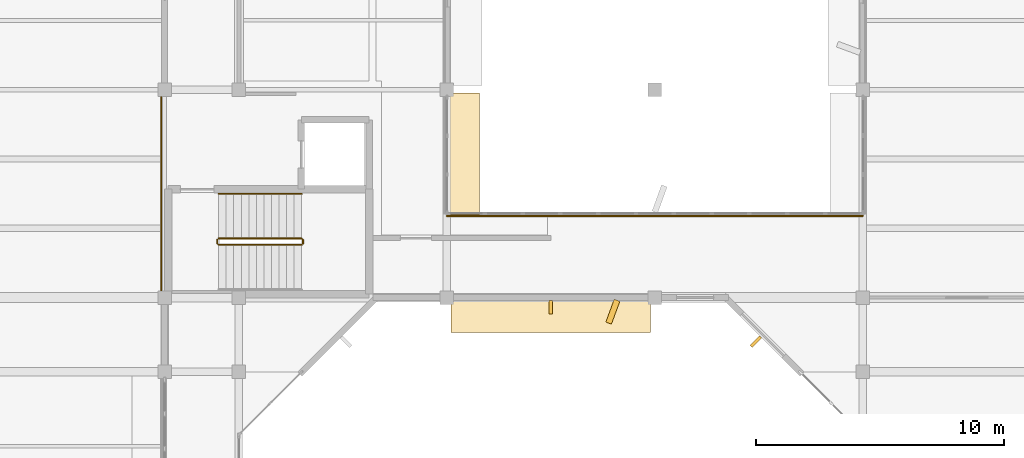
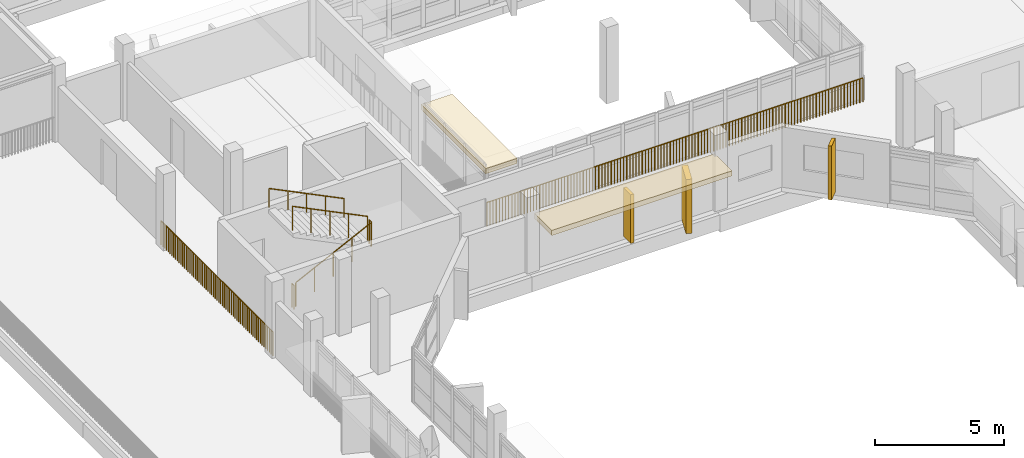
# One storey, part 82 of 92: 7 railings, 3 coverings, 2 shading devices.
"""IFC4 building model written with IfcOpenShell, lengths in metres."""

from ifc_helpers import new_model, si_unit, direction, frame, origin, origin_2d, place, context, subcontext, project, spatial, rectangle, circle, extrude, material, layer, layer_set, type_object, element, save


model = new_model("IFC4")

# Units and contexts
model_context = context("Model", 3, precision=1e-05, world=origin(), true_north=direction((0.0, 1.0)))
body_context = subcontext(model_context, "Body", "Model", "MODEL_VIEW")
ifc_project = project(units=[si_unit("LENGTHUNIT", "METRE"), si_unit("AREAUNIT", "SQUARE_METRE"), si_unit("VOLUMEUNIT", "CUBIC_METRE"), si_unit("PLANEANGLEUNIT", "RADIAN"), si_unit("MASSUNIT", "GRAM", prefix="KILO")], contexts=[model_context])

# Site, building, storey
site_placement = place(None, origin())
site = spatial("IfcSite", under=ifc_project, at=site_placement, CompositionType="ELEMENT")
building_placement = place(site_placement, origin())
building = spatial("IfcBuilding", under=site, at=building_placement, Name="Vanh Quang Courtyard School", CompositionType="ELEMENT")
storey_placement = place(building_placement, frame((0.0, 0.0, 7.800048828125)))
storey = spatial("IfcBuildingStorey", under=building, at=storey_placement, Name="L02", CompositionType="ELEMENT", Elevation=7.800048828125)

# Coverings
ifc_material_1 = material(Name="Board-marked precast concrete C40/50", Category="concrete")
ifc_layer = layer(ifc_material_1, 0.239990234375)
ifc_layer_set = layer_set([ifc_layer], Name="Board-marked precast concrete C40/50")
covering_type = type_object("IfcCoveringType", Name="COV-HOOD-CONC", PredefinedType="CLADDING", material=ifc_layer_set)
covering_1_placement = place(storey_placement, frame((53.39990234375, 70.659912109375, 2.35986328125), z_axis=(0.0, 0.0, 1.0), x_axis=(-1.0, 0.0, 0.0)))
element("IfcCovering", 1, at=covering_1_placement, inside=storey, type_object=covering_type, Name="Covering CH-01 (L02)", PredefinedType="CLADDING", context=body_context, shape_type="SweptSolid", body=[
    extrude(rectangle(XDim=8.053955078125, YDim=1.35009765625, at=origin_2d()), origin(), (0.0, 0.0, 1.0), 0.239990234375),
])
covering_2_placement = place(storey_placement, frame((55.900390625, 70.830078125, 0.0), z_axis=(0.0, 0.0, 1.0), x_axis=(-0.346608245445, -0.938009980858, 0.0)))
element("IfcCovering", 2, at=covering_2_placement, inside=storey, type_object=covering_type, Name="Covering CH-01 (L02)", PredefinedType="CLADDING", context=body_context, shape_type="SweptSolid", body=[
    extrude(rectangle(XDim=0.980712890625, YDim=0.239990234375, at=origin_2d()), origin(), (0.0, 0.0, 1.0), 2.56005859375),
])
covering_3_placement = place(storey_placement, frame((49.820068359375, 77.158447265625, 2.5400390625), z_axis=(0.0, 0.0, 1.0), x_axis=(0.0, -1.0, 0.0)))
element("IfcCovering", 3, at=covering_3_placement, inside=storey, type_object=covering_type, Name="Covering CH-01 (L02)", PredefinedType="CLADDING", context=body_context, shape_type="SweptSolid", body=[
    extrude(rectangle(XDim=5.01708984375, YDim=1.39990234375, at=origin_2d()), origin(), (0.0, 0.0, 1.0), 0.239990234375),
])

# Railings
ifc_material_2 = material(Name="Galvanised painted steel EN 10025-2 S355J2", Category="steel")
railing_type_1 = type_object("IfcRailingType", Name="RAIL-GUARD-1150", PredefinedType="BALUSTRADE", material=ifc_material_2)
railing_1_placement = place(storey_placement, frame((37.659912109375, 79.930419921875, 0.0)))
element("IfcRailing", 4, at=railing_1_placement, inside=storey, type_object=railing_type_1, Name="Railing GR-01 (L02)", PredefinedType="BALUSTRADE", context=body_context, shape_type="SweptSolid", body=[
    extrude(circle(Radius=0.02392578125, at=origin_2d()), frame((0.0, 0.0, 1.1259765625), z_axis=(0.0, -1.0, 0.0), x_axis=(1.0, 0.0, 0.0)), (0.0, 0.0, 1.0), 8.66064453125),
    extrude(circle(Radius=0.02099609375, at=origin_2d()), origin(), (0.0, 0.0, 1.0), 1.101806640625),
    extrude(circle(Radius=0.02099609375, at=origin_2d()), frame((0.0, -0.1396484375, 0.0)), (0.0, 0.0, 1.0), 1.101806640625),
    extrude(circle(Radius=0.02099609375, at=origin_2d()), frame((0.0, -0.279296875, 0.0)), (0.0, 0.0, 1.0), 1.101806640625),
    extrude(circle(Radius=0.02099609375, at=origin_2d()), frame((0.0, -0.4189453125, 0.0)), (0.0, 0.0, 1.0), 1.101806640625),
    extrude(circle(Radius=0.02099609375, at=origin_2d()), frame((0.0, -0.558837890625, 0.0)), (0.0, 0.0, 1.0), 1.101806640625),
    extrude(circle(Radius=0.02099609375, at=origin_2d()), frame((0.0, -0.698486328125, 0.0)), (0.0, 0.0, 1.0), 1.101806640625),
    extrude(circle(Radius=0.02099609375, at=origin_2d()), frame((0.0, -0.838134765625, 0.0)), (0.0, 0.0, 1.0), 1.101806640625),
    extrude(circle(Radius=0.02099609375, at=origin_2d()), frame((0.0, -0.977783203125, 0.0)), (0.0, 0.0, 1.0), 1.101806640625),
    extrude(circle(Radius=0.02099609375, at=origin_2d()), frame((0.0, -1.117431640625, 0.0)), (0.0, 0.0, 1.0), 1.101806640625),
    extrude(circle(Radius=0.02099609375, at=origin_2d()), frame((0.0, -1.257080078125, 0.0)), (0.0, 0.0, 1.0), 1.101806640625),
    extrude(circle(Radius=0.02099609375, at=origin_2d()), frame((0.0, -1.39697265625, 0.0)), (0.0, 0.0, 1.0), 1.101806640625),
    extrude(circle(Radius=0.02099609375, at=origin_2d()), frame((0.0, -1.53662109375, 0.0)), (0.0, 0.0, 1.0), 1.101806640625),
    extrude(circle(Radius=0.02099609375, at=origin_2d()), frame((0.0, -1.67626953125, 0.0)), (0.0, 0.0, 1.0), 1.101806640625),
    extrude(circle(Radius=0.02099609375, at=origin_2d()), frame((0.0, -1.81591796875, 0.0)), (0.0, 0.0, 1.0), 1.101806640625),
    extrude(circle(Radius=0.02099609375, at=origin_2d()), frame((0.0, -1.95556640625, 0.0)), (0.0, 0.0, 1.0), 1.101806640625),
    extrude(circle(Radius=0.02099609375, at=origin_2d()), frame((0.0, -2.09521484375, 0.0)), (0.0, 0.0, 1.0), 1.101806640625),
    extrude(circle(Radius=0.02099609375, at=origin_2d()), frame((0.0, -2.235107421875, 0.0)), (0.0, 0.0, 1.0), 1.101806640625),
    extrude(circle(Radius=0.02099609375, at=origin_2d()), frame((0.0, -2.374755859375, 0.0)), (0.0, 0.0, 1.0), 1.101806640625),
    extrude(circle(Radius=0.02099609375, at=origin_2d()), frame((0.0, -2.514404296875, 0.0)), (0.0, 0.0, 1.0), 1.101806640625),
    extrude(circle(Radius=0.02099609375, at=origin_2d()), frame((0.0, -2.654052734375, 0.0)), (0.0, 0.0, 1.0), 1.101806640625),
    extrude(circle(Radius=0.02099609375, at=origin_2d()), frame((0.0, -2.793701171875, 0.0)), (0.0, 0.0, 1.0), 1.101806640625),
    extrude(circle(Radius=0.02099609375, at=origin_2d()), frame((0.0, -2.933349609375, 0.0)), (0.0, 0.0, 1.0), 1.101806640625),
    extrude(circle(Radius=0.02099609375, at=origin_2d()), frame((0.0, -3.0732421875, 0.0)), (0.0, 0.0, 1.0), 1.101806640625),
    extrude(circle(Radius=0.02099609375, at=origin_2d()), frame((0.0, -3.212890625, 0.0)), (0.0, 0.0, 1.0), 1.101806640625),
    extrude(circle(Radius=0.02099609375, at=origin_2d()), frame((0.0, -3.3525390625, 0.0)), (0.0, 0.0, 1.0), 1.101806640625),
    extrude(circle(Radius=0.02099609375, at=origin_2d()), frame((0.0, -3.4921875, 0.0)), (0.0, 0.0, 1.0), 1.101806640625),
    extrude(circle(Radius=0.02099609375, at=origin_2d()), frame((0.0, -3.6318359375, 0.0)), (0.0, 0.0, 1.0), 1.101806640625),
    extrude(circle(Radius=0.02099609375, at=origin_2d()), frame((0.0, -3.771484375, 0.0)), (0.0, 0.0, 1.0), 1.101806640625),
    extrude(circle(Radius=0.02099609375, at=origin_2d()), frame((0.0, -3.911376953125, 0.0)), (0.0, 0.0, 1.0), 1.101806640625),
    extrude(circle(Radius=0.02099609375, at=origin_2d()), frame((0.0, -4.051025390625, 0.0)), (0.0, 0.0, 1.0), 1.101806640625),
    extrude(circle(Radius=0.02099609375, at=origin_2d()), frame((0.0, -4.190673828125, 0.0)), (0.0, 0.0, 1.0), 1.101806640625),
    extrude(circle(Radius=0.02099609375, at=origin_2d()), frame((0.0, -4.330322265625, 0.0)), (0.0, 0.0, 1.0), 1.101806640625),
    extrude(circle(Radius=0.02099609375, at=origin_2d()), frame((0.0, -4.469970703125, 0.0)), (0.0, 0.0, 1.0), 1.101806640625),
    extrude(circle(Radius=0.02099609375, at=origin_2d()), frame((0.0, -4.609619140625, 0.0)), (0.0, 0.0, 1.0), 1.101806640625),
    extrude(circle(Radius=0.02099609375, at=origin_2d()), frame((0.0, -4.749267578125, 0.0)), (0.0, 0.0, 1.0), 1.101806640625),
    extrude(circle(Radius=0.02099609375, at=origin_2d()), frame((0.0, -4.88916015625, 0.0)), (0.0, 0.0, 1.0), 1.101806640625),
    extrude(circle(Radius=0.02099609375, at=origin_2d()), frame((0.0, -5.02880859375, 0.0)), (0.0, 0.0, 1.0), 1.101806640625),
    extrude(circle(Radius=0.02099609375, at=origin_2d()), frame((0.0, -5.16845703125, 0.0)), (0.0, 0.0, 1.0), 1.101806640625),
    extrude(circle(Radius=0.02099609375, at=origin_2d()), frame((0.0, -5.30810546875, 0.0)), (0.0, 0.0, 1.0), 1.101806640625),
    extrude(circle(Radius=0.02099609375, at=origin_2d()), frame((0.0, -5.44775390625, 0.0)), (0.0, 0.0, 1.0), 1.101806640625),
    extrude(circle(Radius=0.02099609375, at=origin_2d()), frame((0.0, -5.58740234375, 0.0)), (0.0, 0.0, 1.0), 1.101806640625),
    extrude(circle(Radius=0.02099609375, at=origin_2d()), frame((0.0, -5.727294921875, 0.0)), (0.0, 0.0, 1.0), 1.101806640625),
    extrude(circle(Radius=0.02099609375, at=origin_2d()), frame((0.0, -5.866943359375, 0.0)), (0.0, 0.0, 1.0), 1.101806640625),
    extrude(circle(Radius=0.02099609375, at=origin_2d()), frame((0.0, -6.006591796875, 0.0)), (0.0, 0.0, 1.0), 1.101806640625),
    extrude(circle(Radius=0.02099609375, at=origin_2d()), frame((0.0, -6.146240234375, 0.0)), (0.0, 0.0, 1.0), 1.101806640625),
    extrude(circle(Radius=0.02099609375, at=origin_2d()), frame((0.0, -6.285888671875, 0.0)), (0.0, 0.0, 1.0), 1.101806640625),
    extrude(circle(Radius=0.02099609375, at=origin_2d()), frame((0.0, -6.425537109375, 0.0)), (0.0, 0.0, 1.0), 1.101806640625),
    extrude(circle(Radius=0.02099609375, at=origin_2d()), frame((0.0, -6.5654296875, 0.0)), (0.0, 0.0, 1.0), 1.101806640625),
    extrude(circle(Radius=0.02099609375, at=origin_2d()), frame((0.0, -6.705078125, 0.0)), (0.0, 0.0, 1.0), 1.101806640625),
    extrude(circle(Radius=0.02099609375, at=origin_2d()), frame((0.0, -6.8447265625, 0.0)), (0.0, 0.0, 1.0), 1.101806640625),
    extrude(circle(Radius=0.02099609375, at=origin_2d()), frame((0.0, -6.984375, 0.0)), (0.0, 0.0, 1.0), 1.101806640625),
    extrude(circle(Radius=0.02099609375, at=origin_2d()), frame((0.0, -7.1240234375, 0.0)), (0.0, 0.0, 1.0), 1.101806640625),
    extrude(circle(Radius=0.02099609375, at=origin_2d()), frame((0.0, -7.263671875, 0.0)), (0.0, 0.0, 1.0), 1.101806640625),
    extrude(circle(Radius=0.02099609375, at=origin_2d()), frame((0.0, -7.403564453125, 0.0)), (0.0, 0.0, 1.0), 1.101806640625),
    extrude(circle(Radius=0.02099609375, at=origin_2d()), frame((0.0, -7.543212890625, 0.0)), (0.0, 0.0, 1.0), 1.101806640625),
    extrude(circle(Radius=0.02099609375, at=origin_2d()), frame((0.0, -7.682861328125, 0.0)), (0.0, 0.0, 1.0), 1.101806640625),
    extrude(circle(Radius=0.02099609375, at=origin_2d()), frame((0.0, -7.822509765625, 0.0)), (0.0, 0.0, 1.0), 1.101806640625),
    extrude(circle(Radius=0.02099609375, at=origin_2d()), frame((0.0, -7.962158203125, 0.0)), (0.0, 0.0, 1.0), 1.101806640625),
    extrude(circle(Radius=0.02099609375, at=origin_2d()), frame((0.0, -8.101806640625, 0.0)), (0.0, 0.0, 1.0), 1.101806640625),
    extrude(circle(Radius=0.02099609375, at=origin_2d()), frame((0.0, -8.24169921875, 0.0)), (0.0, 0.0, 1.0), 1.101806640625),
    extrude(circle(Radius=0.02099609375, at=origin_2d()), frame((0.0, -8.38134765625, 0.0)), (0.0, 0.0, 1.0), 1.101806640625),
    extrude(circle(Radius=0.02099609375, at=origin_2d()), frame((0.0, -8.52099609375, 0.0)), (0.0, 0.0, 1.0), 1.101806640625),
    extrude(circle(Radius=0.02099609375, at=origin_2d()), frame((0.0, -8.66064453125, 0.0)), (0.0, 0.0, 1.0), 1.101806640625),
])
railing_2_placement = place(storey_placement, frame((49.199951171875, 74.699951171875, 0.0)))
element("IfcRailing", 5, at=railing_2_placement, inside=storey, type_object=railing_type_1, Name="Railing GR-01 (L02)", PredefinedType="BALUSTRADE", context=body_context, shape_type="SweptSolid", body=[
    extrude(circle(Radius=0.02392578125, at=origin_2d()), frame((0.0, 0.0, 1.1259765625), z_axis=(1.0, 0.0, 0.0), x_axis=(0.0, 1.0, 0.0)), (0.0, 0.0, 1.0), 16.800048828125),
    extrude(circle(Radius=0.02099609375, at=origin_2d()), origin(), (0.0, 0.0, 1.0), 1.101806640625),
    extrude(circle(Radius=0.02099609375, at=origin_2d()), frame((0.138916015625, 0.0, 0.0)), (0.0, 0.0, 1.0), 1.101806640625),
    extrude(circle(Radius=0.02099609375, at=origin_2d()), frame((0.277587890625, 0.0, 0.0)), (0.0, 0.0, 1.0), 1.101806640625),
    extrude(circle(Radius=0.02099609375, at=origin_2d()), frame((0.41650390625, 0.0, 0.0)), (0.0, 0.0, 1.0), 1.101806640625),
    extrude(circle(Radius=0.02099609375, at=origin_2d()), frame((0.555419921875, 0.0, 0.0)), (0.0, 0.0, 1.0), 1.101806640625),
    extrude(circle(Radius=0.02099609375, at=origin_2d()), frame((0.6943359375, 0.0, 0.0)), (0.0, 0.0, 1.0), 1.101806640625),
    extrude(circle(Radius=0.02099609375, at=origin_2d()), frame((0.8330078125, 0.0, 0.0)), (0.0, 0.0, 1.0), 1.101806640625),
    extrude(circle(Radius=0.02099609375, at=origin_2d()), frame((0.971923828125, 0.0, 0.0)), (0.0, 0.0, 1.0), 1.101806640625),
    extrude(circle(Radius=0.02099609375, at=origin_2d()), frame((1.11083984375, 0.0, 0.0)), (0.0, 0.0, 1.0), 1.101806640625),
    extrude(circle(Radius=0.02099609375, at=origin_2d()), frame((1.24951171875, 0.0, 0.0)), (0.0, 0.0, 1.0), 1.101806640625),
    extrude(circle(Radius=0.02099609375, at=origin_2d()), frame((1.388427734375, 0.0, 0.0)), (0.0, 0.0, 1.0), 1.101806640625),
    extrude(circle(Radius=0.02099609375, at=origin_2d()), frame((1.52734375, 0.0, 0.0)), (0.0, 0.0, 1.0), 1.101806640625),
    extrude(circle(Radius=0.02099609375, at=origin_2d()), frame((1.666015625, 0.0, 0.0)), (0.0, 0.0, 1.0), 1.101806640625),
    extrude(circle(Radius=0.02099609375, at=origin_2d()), frame((1.804931640625, 0.0, 0.0)), (0.0, 0.0, 1.0), 1.101806640625),
    extrude(circle(Radius=0.02099609375, at=origin_2d()), frame((1.94384765625, 0.0, 0.0)), (0.0, 0.0, 1.0), 1.101806640625),
    extrude(circle(Radius=0.02099609375, at=origin_2d()), frame((2.082763671875, 0.0, 0.0)), (0.0, 0.0, 1.0), 1.101806640625),
    extrude(circle(Radius=0.02099609375, at=origin_2d()), frame((2.221435546875, 0.0, 0.0)), (0.0, 0.0, 1.0), 1.101806640625),
    extrude(circle(Radius=0.02099609375, at=origin_2d()), frame((2.3603515625, 0.0, 0.0)), (0.0, 0.0, 1.0), 1.101806640625),
    extrude(circle(Radius=0.02099609375, at=origin_2d()), frame((2.499267578125, 0.0, 0.0)), (0.0, 0.0, 1.0), 1.101806640625),
    extrude(circle(Radius=0.02099609375, at=origin_2d()), frame((2.637939453125, 0.0, 0.0)), (0.0, 0.0, 1.0), 1.101806640625),
    extrude(circle(Radius=0.02099609375, at=origin_2d()), frame((2.77685546875, 0.0, 0.0)), (0.0, 0.0, 1.0), 1.101806640625),
    extrude(circle(Radius=0.02099609375, at=origin_2d()), frame((2.915771484375, 0.0, 0.0)), (0.0, 0.0, 1.0), 1.101806640625),
    extrude(circle(Radius=0.02099609375, at=origin_2d()), frame((3.054443359375, 0.0, 0.0)), (0.0, 0.0, 1.0), 1.101806640625),
    extrude(circle(Radius=0.02099609375, at=origin_2d()), frame((3.193359375, 0.0, 0.0)), (0.0, 0.0, 1.0), 1.101806640625),
    extrude(circle(Radius=0.02099609375, at=origin_2d()), frame((3.332275390625, 0.0, 0.0)), (0.0, 0.0, 1.0), 1.101806640625),
    extrude(circle(Radius=0.02099609375, at=origin_2d()), frame((3.47119140625, 0.0, 0.0)), (0.0, 0.0, 1.0), 1.101806640625),
    extrude(circle(Radius=0.02099609375, at=origin_2d()), frame((3.60986328125, 0.0, 0.0)), (0.0, 0.0, 1.0), 1.101806640625),
    extrude(circle(Radius=0.02099609375, at=origin_2d()), frame((3.748779296875, 0.0, 0.0)), (0.0, 0.0, 1.0), 1.101806640625),
    extrude(circle(Radius=0.02099609375, at=origin_2d()), frame((3.8876953125, 0.0, 0.0)), (0.0, 0.0, 1.0), 1.101806640625),
    extrude(circle(Radius=0.02099609375, at=origin_2d()), frame((4.0263671875, 0.0, 0.0)), (0.0, 0.0, 1.0), 1.101806640625),
    extrude(circle(Radius=0.02099609375, at=origin_2d()), frame((4.165283203125, 0.0, 0.0)), (0.0, 0.0, 1.0), 1.101806640625),
    extrude(circle(Radius=0.02099609375, at=origin_2d()), frame((4.30419921875, 0.0, 0.0)), (0.0, 0.0, 1.0), 1.101806640625),
    extrude(circle(Radius=0.02099609375, at=origin_2d()), frame((4.44287109375, 0.0, 0.0)), (0.0, 0.0, 1.0), 1.101806640625),
    extrude(circle(Radius=0.02099609375, at=origin_2d()), frame((4.581787109375, 0.0, 0.0)), (0.0, 0.0, 1.0), 1.101806640625),
    extrude(circle(Radius=0.02099609375, at=origin_2d()), frame((4.720703125, 0.0, 0.0)), (0.0, 0.0, 1.0), 1.101806640625),
    extrude(circle(Radius=0.02099609375, at=origin_2d()), frame((4.859619140625, 0.0, 0.0)), (0.0, 0.0, 1.0), 1.101806640625),
    extrude(circle(Radius=0.02099609375, at=origin_2d()), frame((4.998291015625, 0.0, 0.0)), (0.0, 0.0, 1.0), 1.101806640625),
    extrude(circle(Radius=0.02099609375, at=origin_2d()), frame((5.13720703125, 0.0, 0.0)), (0.0, 0.0, 1.0), 1.101806640625),
    extrude(circle(Radius=0.02099609375, at=origin_2d()), frame((5.276123046875, 0.0, 0.0)), (0.0, 0.0, 1.0), 1.101806640625),
    extrude(circle(Radius=0.02099609375, at=origin_2d()), frame((5.414794921875, 0.0, 0.0)), (0.0, 0.0, 1.0), 1.101806640625),
    extrude(circle(Radius=0.02099609375, at=origin_2d()), frame((5.5537109375, 0.0, 0.0)), (0.0, 0.0, 1.0), 1.101806640625),
    extrude(circle(Radius=0.02099609375, at=origin_2d()), frame((5.692626953125, 0.0, 0.0)), (0.0, 0.0, 1.0), 1.101806640625),
    extrude(circle(Radius=0.02099609375, at=origin_2d()), frame((5.83154296875, 0.0, 0.0)), (0.0, 0.0, 1.0), 1.101806640625),
    extrude(circle(Radius=0.02099609375, at=origin_2d()), frame((5.97021484375, 0.0, 0.0)), (0.0, 0.0, 1.0), 1.101806640625),
    extrude(circle(Radius=0.02099609375, at=origin_2d()), frame((6.109130859375, 0.0, 0.0)), (0.0, 0.0, 1.0), 1.101806640625),
    extrude(circle(Radius=0.02099609375, at=origin_2d()), frame((6.248046875, 0.0, 0.0)), (0.0, 0.0, 1.0), 1.101806640625),
    extrude(circle(Radius=0.02099609375, at=origin_2d()), frame((6.38671875, 0.0, 0.0)), (0.0, 0.0, 1.0), 1.101806640625),
    extrude(circle(Radius=0.02099609375, at=origin_2d()), frame((6.525634765625, 0.0, 0.0)), (0.0, 0.0, 1.0), 1.101806640625),
    extrude(circle(Radius=0.02099609375, at=origin_2d()), frame((6.66455078125, 0.0, 0.0)), (0.0, 0.0, 1.0), 1.101806640625),
    extrude(circle(Radius=0.02099609375, at=origin_2d()), frame((6.80322265625, 0.0, 0.0)), (0.0, 0.0, 1.0), 1.101806640625),
    extrude(circle(Radius=0.02099609375, at=origin_2d()), frame((6.942138671875, 0.0, 0.0)), (0.0, 0.0, 1.0), 1.101806640625),
    extrude(circle(Radius=0.02099609375, at=origin_2d()), frame((7.0810546875, 0.0, 0.0)), (0.0, 0.0, 1.0), 1.101806640625),
    extrude(circle(Radius=0.02099609375, at=origin_2d()), frame((7.219970703125, 0.0, 0.0)), (0.0, 0.0, 1.0), 1.101806640625),
    extrude(circle(Radius=0.02099609375, at=origin_2d()), frame((7.358642578125, 0.0, 0.0)), (0.0, 0.0, 1.0), 1.101806640625),
    extrude(circle(Radius=0.02099609375, at=origin_2d()), frame((7.49755859375, 0.0, 0.0)), (0.0, 0.0, 1.0), 1.101806640625),
    extrude(circle(Radius=0.02099609375, at=origin_2d()), frame((7.636474609375, 0.0, 0.0)), (0.0, 0.0, 1.0), 1.101806640625),
    extrude(circle(Radius=0.02099609375, at=origin_2d()), frame((7.775146484375, 0.0, 0.0)), (0.0, 0.0, 1.0), 1.101806640625),
    extrude(circle(Radius=0.02099609375, at=origin_2d()), frame((7.9140625, 0.0, 0.0)), (0.0, 0.0, 1.0), 1.101806640625),
    extrude(circle(Radius=0.02099609375, at=origin_2d()), frame((8.052978515625, 0.0, 0.0)), (0.0, 0.0, 1.0), 1.101806640625),
    extrude(circle(Radius=0.02099609375, at=origin_2d()), frame((8.191650390625, 0.0, 0.0)), (0.0, 0.0, 1.0), 1.101806640625),
    extrude(circle(Radius=0.02099609375, at=origin_2d()), frame((8.33056640625, 0.0, 0.0)), (0.0, 0.0, 1.0), 1.101806640625),
    extrude(circle(Radius=0.02099609375, at=origin_2d()), frame((8.469482421875, 0.0, 0.0)), (0.0, 0.0, 1.0), 1.101806640625),
    extrude(circle(Radius=0.02099609375, at=origin_2d()), frame((8.6083984375, 0.0, 0.0)), (0.0, 0.0, 1.0), 1.101806640625),
    extrude(circle(Radius=0.02099609375, at=origin_2d()), frame((8.7470703125, 0.0, 0.0)), (0.0, 0.0, 1.0), 1.101806640625),
    extrude(circle(Radius=0.02099609375, at=origin_2d()), frame((8.885986328125, 0.0, 0.0)), (0.0, 0.0, 1.0), 1.101806640625),
    extrude(circle(Radius=0.02099609375, at=origin_2d()), frame((9.02490234375, 0.0, 0.0)), (0.0, 0.0, 1.0), 1.101806640625),
    extrude(circle(Radius=0.02099609375, at=origin_2d()), frame((9.16357421875, 0.0, 0.0)), (0.0, 0.0, 1.0), 1.101806640625),
    extrude(circle(Radius=0.02099609375, at=origin_2d()), frame((9.302490234375, 0.0, 0.0)), (0.0, 0.0, 1.0), 1.101806640625),
    extrude(circle(Radius=0.02099609375, at=origin_2d()), frame((9.44140625, 0.0, 0.0)), (0.0, 0.0, 1.0), 1.101806640625),
    extrude(circle(Radius=0.02099609375, at=origin_2d()), frame((9.580078125, 0.0, 0.0)), (0.0, 0.0, 1.0), 1.101806640625),
    extrude(circle(Radius=0.02099609375, at=origin_2d()), frame((9.718994140625, 0.0, 0.0)), (0.0, 0.0, 1.0), 1.101806640625),
    extrude(circle(Radius=0.02099609375, at=origin_2d()), frame((9.85791015625, 0.0, 0.0)), (0.0, 0.0, 1.0), 1.101806640625),
    extrude(circle(Radius=0.02099609375, at=origin_2d()), frame((9.996826171875, 0.0, 0.0)), (0.0, 0.0, 1.0), 1.101806640625),
    extrude(circle(Radius=0.02099609375, at=origin_2d()), frame((10.135498046875, 0.0, 0.0)), (0.0, 0.0, 1.0), 1.101806640625),
    extrude(circle(Radius=0.02099609375, at=origin_2d()), frame((10.2744140625, 0.0, 0.0)), (0.0, 0.0, 1.0), 1.101806640625),
    extrude(circle(Radius=0.02099609375, at=origin_2d()), frame((10.413330078125, 0.0, 0.0)), (0.0, 0.0, 1.0), 1.101806640625),
    extrude(circle(Radius=0.02099609375, at=origin_2d()), frame((10.552001953125, 0.0, 0.0)), (0.0, 0.0, 1.0), 1.101806640625),
    extrude(circle(Radius=0.02099609375, at=origin_2d()), frame((10.69091796875, 0.0, 0.0)), (0.0, 0.0, 1.0), 1.101806640625),
    extrude(circle(Radius=0.02099609375, at=origin_2d()), frame((10.829833984375, 0.0, 0.0)), (0.0, 0.0, 1.0), 1.101806640625),
    extrude(circle(Radius=0.02099609375, at=origin_2d()), frame((10.968505859375, 0.0, 0.0)), (0.0, 0.0, 1.0), 1.101806640625),
    extrude(circle(Radius=0.02099609375, at=origin_2d()), frame((11.107421875, 0.0, 0.0)), (0.0, 0.0, 1.0), 1.101806640625),
    extrude(circle(Radius=0.02099609375, at=origin_2d()), frame((11.246337890625, 0.0, 0.0)), (0.0, 0.0, 1.0), 1.101806640625),
    extrude(circle(Radius=0.02099609375, at=origin_2d()), frame((11.38525390625, 0.0, 0.0)), (0.0, 0.0, 1.0), 1.101806640625),
    extrude(circle(Radius=0.02099609375, at=origin_2d()), frame((11.52392578125, 0.0, 0.0)), (0.0, 0.0, 1.0), 1.101806640625),
    extrude(circle(Radius=0.02099609375, at=origin_2d()), frame((11.662841796875, 0.0, 0.0)), (0.0, 0.0, 1.0), 1.101806640625),
    extrude(circle(Radius=0.02099609375, at=origin_2d()), frame((11.8017578125, 0.0, 0.0)), (0.0, 0.0, 1.0), 1.101806640625),
    extrude(circle(Radius=0.02099609375, at=origin_2d()), frame((11.9404296875, 0.0, 0.0)), (0.0, 0.0, 1.0), 1.101806640625),
    extrude(circle(Radius=0.02099609375, at=origin_2d()), frame((12.079345703125, 0.0, 0.0)), (0.0, 0.0, 1.0), 1.101806640625),
    extrude(circle(Radius=0.02099609375, at=origin_2d()), frame((12.21826171875, 0.0, 0.0)), (0.0, 0.0, 1.0), 1.101806640625),
    extrude(circle(Radius=0.02099609375, at=origin_2d()), frame((12.357177734375, 0.0, 0.0)), (0.0, 0.0, 1.0), 1.101806640625),
    extrude(circle(Radius=0.02099609375, at=origin_2d()), frame((12.495849609375, 0.0, 0.0)), (0.0, 0.0, 1.0), 1.101806640625),
    extrude(circle(Radius=0.02099609375, at=origin_2d()), frame((12.634765625, 0.0, 0.0)), (0.0, 0.0, 1.0), 1.101806640625),
    extrude(circle(Radius=0.02099609375, at=origin_2d()), frame((12.773681640625, 0.0, 0.0)), (0.0, 0.0, 1.0), 1.101806640625),
    extrude(circle(Radius=0.02099609375, at=origin_2d()), frame((12.912353515625, 0.0, 0.0)), (0.0, 0.0, 1.0), 1.101806640625),
    extrude(circle(Radius=0.02099609375, at=origin_2d()), frame((13.05126953125, 0.0, 0.0)), (0.0, 0.0, 1.0), 1.101806640625),
    extrude(circle(Radius=0.02099609375, at=origin_2d()), frame((13.190185546875, 0.0, 0.0)), (0.0, 0.0, 1.0), 1.101806640625),
    extrude(circle(Radius=0.02099609375, at=origin_2d()), frame((13.328857421875, 0.0, 0.0)), (0.0, 0.0, 1.0), 1.101806640625),
    extrude(circle(Radius=0.02099609375, at=origin_2d()), frame((13.4677734375, 0.0, 0.0)), (0.0, 0.0, 1.0), 1.101806640625),
    extrude(circle(Radius=0.02099609375, at=origin_2d()), frame((13.606689453125, 0.0, 0.0)), (0.0, 0.0, 1.0), 1.101806640625),
    extrude(circle(Radius=0.02099609375, at=origin_2d()), frame((13.74560546875, 0.0, 0.0)), (0.0, 0.0, 1.0), 1.101806640625),
    extrude(circle(Radius=0.02099609375, at=origin_2d()), frame((13.88427734375, 0.0, 0.0)), (0.0, 0.0, 1.0), 1.101806640625),
    extrude(circle(Radius=0.02099609375, at=origin_2d()), frame((14.023193359375, 0.0, 0.0)), (0.0, 0.0, 1.0), 1.101806640625),
    extrude(circle(Radius=0.02099609375, at=origin_2d()), frame((14.162109375, 0.0, 0.0)), (0.0, 0.0, 1.0), 1.101806640625),
    extrude(circle(Radius=0.02099609375, at=origin_2d()), frame((14.30078125, 0.0, 0.0)), (0.0, 0.0, 1.0), 1.101806640625),
    extrude(circle(Radius=0.02099609375, at=origin_2d()), frame((14.439697265625, 0.0, 0.0)), (0.0, 0.0, 1.0), 1.101806640625),
    extrude(circle(Radius=0.02099609375, at=origin_2d()), frame((14.57861328125, 0.0, 0.0)), (0.0, 0.0, 1.0), 1.101806640625),
    extrude(circle(Radius=0.02099609375, at=origin_2d()), frame((14.71728515625, 0.0, 0.0)), (0.0, 0.0, 1.0), 1.101806640625),
    extrude(circle(Radius=0.02099609375, at=origin_2d()), frame((14.856201171875, 0.0, 0.0)), (0.0, 0.0, 1.0), 1.101806640625),
    extrude(circle(Radius=0.02099609375, at=origin_2d()), frame((14.9951171875, 0.0, 0.0)), (0.0, 0.0, 1.0), 1.101806640625),
    extrude(circle(Radius=0.02099609375, at=origin_2d()), frame((15.134033203125, 0.0, 0.0)), (0.0, 0.0, 1.0), 1.101806640625),
    extrude(circle(Radius=0.02099609375, at=origin_2d()), frame((15.272705078125, 0.0, 0.0)), (0.0, 0.0, 1.0), 1.101806640625),
    extrude(circle(Radius=0.02099609375, at=origin_2d()), frame((15.41162109375, 0.0, 0.0)), (0.0, 0.0, 1.0), 1.101806640625),
    extrude(circle(Radius=0.02099609375, at=origin_2d()), frame((15.550537109375, 0.0, 0.0)), (0.0, 0.0, 1.0), 1.101806640625),
    extrude(circle(Radius=0.02099609375, at=origin_2d()), frame((15.689208984375, 0.0, 0.0)), (0.0, 0.0, 1.0), 1.101806640625),
    extrude(circle(Radius=0.02099609375, at=origin_2d()), frame((15.828125, 0.0, 0.0)), (0.0, 0.0, 1.0), 1.101806640625),
    extrude(circle(Radius=0.02099609375, at=origin_2d()), frame((15.967041015625, 0.0, 0.0)), (0.0, 0.0, 1.0), 1.101806640625),
    extrude(circle(Radius=0.02099609375, at=origin_2d()), frame((16.105712890625, 0.0, 0.0)), (0.0, 0.0, 1.0), 1.101806640625),
    extrude(circle(Radius=0.02099609375, at=origin_2d()), frame((16.24462890625, 0.0, 0.0)), (0.0, 0.0, 1.0), 1.101806640625),
    extrude(circle(Radius=0.02099609375, at=origin_2d()), frame((16.383544921875, 0.0, 0.0)), (0.0, 0.0, 1.0), 1.101806640625),
    extrude(circle(Radius=0.02099609375, at=origin_2d()), frame((16.5224609375, 0.0, 0.0)), (0.0, 0.0, 1.0), 1.101806640625),
    extrude(circle(Radius=0.02099609375, at=origin_2d()), frame((16.6611328125, 0.0, 0.0)), (0.0, 0.0, 1.0), 1.101806640625),
    extrude(circle(Radius=0.02099609375, at=origin_2d()), frame((16.800048828125, 0.0, 0.0)), (0.0, 0.0, 1.0), 1.101806640625),
])
railing_3_placement = place(storey_placement, frame((39.97998046875, 73.530029296875, 0.14990234375)))
element("IfcRailing", 6, at=railing_3_placement, inside=storey, type_object=railing_type_1, Name="L02 ST-03 stair guard 1", PredefinedType="BALUSTRADE", context=body_context, shape_type="SweptSolid", body=[
    extrude(circle(Radius=0.02392578125, at=origin_2d()), frame((0.0, 0.0, 1.1259765625), z_axis=(0.89733343241, 0.0, 0.441353272424), x_axis=(0.0, 1.0, 0.0)), (0.0, 0.0, 1.0), 3.73876953125),
    extrude(circle(Radius=0.02099609375, at=origin_2d()), origin(), (0.0, 0.0, 1.0), 1.101806640625),
    extrude(circle(Radius=0.02099609375, at=origin_2d()), frame((0.8388671875, 0.0, 0.41259765625)), (0.0, 0.0, 1.0), 1.101806640625),
    extrude(circle(Radius=0.02099609375, at=origin_2d()), frame((1.677490234375, 0.0, 0.8251953125)), (0.0, 0.0, 1.0), 1.101806640625),
    extrude(circle(Radius=0.02099609375, at=origin_2d()), frame((2.51611328125, 0.0, 1.237548828125)), (0.0, 0.0, 1.0), 1.101806640625),
    extrude(circle(Radius=0.02099609375, at=origin_2d()), frame((3.35498046875, 0.0, 1.650146484375)), (0.0, 0.0, 1.0), 1.101806640625),
])
railing_4_placement = place(storey_placement, frame((43.385009765625, 73.580078125, 1.800048828125)))
element("IfcRailing", 7, at=railing_4_placement, inside=storey, type_object=railing_type_1, Name="L02 ST-03 stair guard 2", PredefinedType="BALUSTRADE", context=body_context, shape_type="SweptSolid", body=[
    extrude(circle(Radius=0.02392578125, at=origin_2d()), frame((0.0, 0.0, 1.1259765625), z_axis=(0.0, 1.0, 0.0), x_axis=(-1.0, 0.0, 0.0)), (0.0, 0.0, 1.0), 0.159912109375),
    extrude(circle(Radius=0.02099609375, at=origin_2d()), origin(), (0.0, 0.0, 1.0), 1.101806640625),
    extrude(circle(Radius=0.02099609375, at=origin_2d()), frame((0.0, 0.159912109375, 0.0)), (0.0, 0.0, 1.0), 1.101806640625),
])
railing_5_placement = place(storey_placement, frame((43.3349609375, 73.7900390625, 1.949951171875)))
element("IfcRailing", 8, at=railing_5_placement, inside=storey, type_object=railing_type_1, Name="L02 ST-03 stair guard 3", PredefinedType="BALUSTRADE", context=body_context, shape_type="SweptSolid", body=[
    extrude(circle(Radius=0.02392578125, at=origin_2d()), frame((0.0, 0.0, 1.1259765625), z_axis=(-0.897359292542, 0.0, 0.441300691239), x_axis=(0.0, -1.0, 0.0)), (0.0, 0.0, 1.0), 3.73876953125),
    extrude(circle(Radius=0.02099609375, at=origin_2d()), origin(), (0.0, 0.0, 1.0), 1.101806640625),
    extrude(circle(Radius=0.02099609375, at=origin_2d()), frame((-0.8388671875, 0.0, 0.41259765625)), (0.0, 0.0, 1.0), 1.101806640625),
    extrude(circle(Radius=0.02099609375, at=origin_2d()), frame((-1.677490234375, 0.0, 0.824951171875)), (0.0, 0.0, 1.0), 1.101806640625),
    extrude(circle(Radius=0.02099609375, at=origin_2d()), frame((-2.51611328125, 0.0, 1.2373046875)), (0.0, 0.0, 1.0), 1.101806640625),
    extrude(circle(Radius=0.02099609375, at=origin_2d()), frame((-3.35498046875, 0.0, 1.64990234375)), (0.0, 0.0, 1.0), 1.101806640625),
])
railing_6_placement = place(storey_placement, frame((39.929931640625, 73.580078125, 0.0)))
element("IfcRailing", 9, at=railing_6_placement, inside=storey, type_object=railing_type_1, Name="L02 ST-03 stair guard 4", PredefinedType="BALUSTRADE", context=body_context, shape_type="SweptSolid", body=[
    extrude(circle(Radius=0.02392578125, at=origin_2d()), frame((0.0, 0.0, 1.1259765625), z_axis=(0.0, 1.0, 0.0), x_axis=(-1.0, 0.0, 0.0)), (0.0, 0.0, 1.0), 0.159912109375),
    extrude(circle(Radius=0.02099609375, at=origin_2d()), origin(), (0.0, 0.0, 1.0), 1.101806640625),
    extrude(circle(Radius=0.02099609375, at=origin_2d()), frame((0.0, 0.159912109375, 0.0)), (0.0, 0.0, 1.0), 1.101806640625),
])
ifc_material_3 = material(Name="Brushed stainless steel", Category="steel")
railing_type_2 = type_object("IfcRailingType", Name="RAIL-HAND-900", PredefinedType="HANDRAIL", material=ifc_material_3)
railing_7_placement = place(storey_placement, frame((43.3349609375, 75.590087890625, 1.949951171875)))
element("IfcRailing", 10, at=railing_7_placement, inside=storey, type_object=railing_type_2, Name="L02 ST-03 stair handrail 2", PredefinedType="HANDRAIL", context=body_context, shape_type="SweptSolid", body=[
    extrude(circle(Radius=0.02392578125, at=origin_2d()), frame((0.0, 0.0, 0.8759765625), z_axis=(-0.897359292542, 0.0, 0.441300691239), x_axis=(0.0, -1.0, 0.0)), (0.0, 0.0, 1.0), 3.73876953125),
    extrude(circle(Radius=0.02099609375, at=origin_2d()), origin(), (0.0, 0.0, 1.0), 0.851806640625),
    extrude(circle(Radius=0.02099609375, at=origin_2d()), frame((-0.8388671875, 0.0, 0.41259765625)), (0.0, 0.0, 1.0), 0.851806640625),
    extrude(circle(Radius=0.02099609375, at=origin_2d()), frame((-1.677490234375, 0.0, 0.824951171875)), (0.0, 0.0, 1.0), 0.851806640625),
    extrude(circle(Radius=0.02099609375, at=origin_2d()), frame((-2.51611328125, 0.0, 1.2373046875)), (0.0, 0.0, 1.0), 0.851806640625),
    extrude(circle(Radius=0.02099609375, at=origin_2d()), frame((-3.35498046875, 0.0, 1.64990234375)), (0.0, 0.0, 1.0), 0.851806640625),
])

# Shading devices
shading_device_type = type_object("IfcShadingDeviceType", Name="SHD-FIN-CONCRETE", PredefinedType="USERDEFINED", material=ifc_material_1)
shading_device_1_placement = place(storey_placement, frame((61.6767578125, 69.62060546875, 0.14990234375), z_axis=(0.0, 0.0, 1.0), x_axis=(-0.707106781187, 0.707106781187, 0.0)))
element("IfcShadingDevice", 11, at=shading_device_1_placement, inside=storey, type_object=shading_device_type, Name="Solar Shading SH-02 (L02)", ObjectType="Solar Shading SH-02 (L02)", PredefinedType="USERDEFINED", context=body_context, shape_type="SweptSolid", body=[
    extrude(rectangle(XDim=0.139892578125, YDim=0.550048828125, at=origin_2d()), origin(), (0.0, 0.0, 1.0), 2.550048828125),
])
shading_device_2_placement = place(storey_placement, frame((53.39990234375, 71.0048828125, 0.14990234375), z_axis=(0.0, 0.0, 1.0), x_axis=(-1.0, 0.0, 0.0)))
element("IfcShadingDevice", 12, at=shading_device_2_placement, inside=storey, type_object=shading_device_type, Name="Solar Shading SH-02 (L02)", ObjectType="Solar Shading SH-02 (L02)", PredefinedType="USERDEFINED", context=body_context, shape_type="SweptSolid", body=[
    extrude(rectangle(XDim=0.139892578125, YDim=0.550048828125, at=origin_2d()), origin(), (0.0, 0.0, 1.0), 2.300048828125),
])

save(model, "model.ifc")
